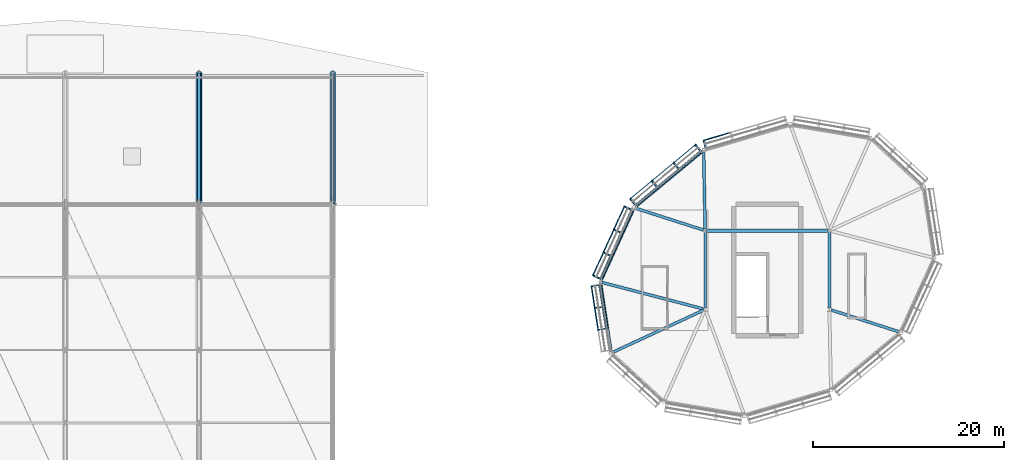
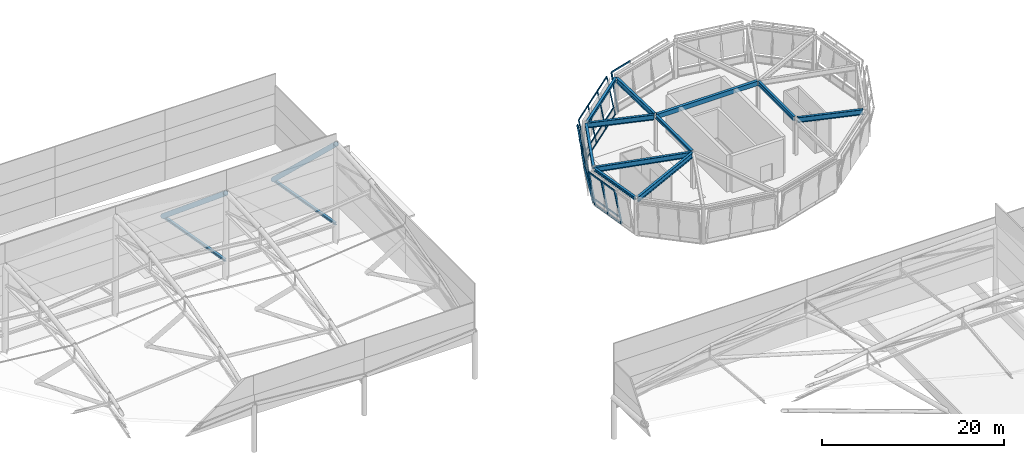
# One storey, part 64 of 113: 41 members, 11 beams, 4 elements without a shape of their own.
"""IFC4 building model written with IfcOpenShell, lengths in metres."""

from ifc_helpers import new_model, si_unit, direction, frame, origin, origin_2d, place, context, subcontext, project, spatial, rectangle, hollow_rectangle, hollow_circle, i_section, extrude, material, material_profile, profile_set, type_object, element, aggregate, save


model = new_model("IFC4")

# Units and contexts
model_context = context("Model", 3, precision=1e-05, world=origin(), true_north=direction((0.0, 1.0)))
body_context = subcontext(model_context, "Body", "Model", "MODEL_VIEW")
ifc_project = project(units=[si_unit("LENGTHUNIT", "METRE"), si_unit("AREAUNIT", "SQUARE_METRE"), si_unit("VOLUMEUNIT", "CUBIC_METRE"), si_unit("PLANEANGLEUNIT", "RADIAN"), si_unit("MASSUNIT", "GRAM", prefix="KILO")], contexts=[model_context])

# Site, building, storey
site_placement = place(None, origin())
site = spatial("IfcSite", under=ifc_project, at=site_placement, CompositionType="ELEMENT")
building_placement = place(site_placement, origin())
building = spatial("IfcBuilding", under=site, at=building_placement, Name="Linyun Crest Stadium", CompositionType="ELEMENT")
storey_placement = place(building_placement, frame((0.0, 0.0, 26.39990234375)))
storey = spatial("IfcBuildingStorey", under=building, at=storey_placement, Name="L06", CompositionType="ELEMENT", Elevation=26.39990234375)

# Beams
ifc_material_1 = material(Name="Concrete C40", Category="concrete")
ifc_material_profile_1 = material_profile(ifc_material_1, rectangle(XDim=0.35009765625, YDim=0.60009765625, at=origin_2d()), Name="RCB 600x350")
ifc_profile_set_1 = profile_set([ifc_material_profile_1], Name="Concrete C40")
beam_type_1 = type_object("IfcBeamType", Name="B01", PredefinedType="BEAM", material=ifc_profile_set_1)
beam_1_placement = place(storey_placement, frame((67.14990234375, 88.75, 4.64501953125), z_axis=(1.0, 0.0, 0.0), x_axis=(0.0, 1.0, 0.0)))
element("IfcBeam", 1, at=beam_1_placement, inside=storey, type_object=beam_type_1, Name="Frame beam B01 L06 984", PredefinedType="BEAM", context=body_context, shape_type="SweptSolid", body=[
    extrude(rectangle(XDim=0.35009765625, YDim=0.60009765625, at=origin_2d()), origin(), (0.0, 0.0, 1.0), 12.7001953125),
])
ifc_material_2 = material(Name="Steel Q355C", Category="steel")
ifc_material_profile_2 = material_profile(ifc_material_2, i_section(OverallWidth=0.300048828125, OverallDepth=0.389892578125, WebThickness=0.010009765625, FlangeThickness=0.01611328125, at=origin_2d()), Name="HM 390x300")
ifc_profile_set_2 = profile_set([ifc_material_profile_2], Name="Steel Q355C")
beam_type_2 = type_object("IfcBeamType", Name="B06", PredefinedType="BEAM", material=ifc_profile_set_2)
beam_2_placement = place(storey_placement, frame((66.741943359375, 97.0859375, 4.75), z_axis=(-0.770371409823, -0.637595397512, 0.0), x_axis=(0.637595397512, -0.770371409823, 0.0)))
element("IfcBeam", 2, at=beam_2_placement, inside=storey, type_object=beam_type_2, Name="Pod ring girder B06 L06 175", PredefinedType="BEAM", context=body_context, shape_type="SweptSolid", body=[
    extrude(i_section(OverallWidth=0.300048828125, OverallDepth=0.389892578125, WebThickness=0.010009765625, FlangeThickness=0.01611328125, at=origin_2d()), origin(), (0.0, 0.0, 1.0), 9.204833984375),
])
beam_3_placement = place(storey_placement, frame((59.509033203125, 91.031005859375, 4.75), z_axis=(-0.41441702614, -0.910087099373, 0.0), x_axis=(0.910087099373, -0.41441702614, 0.0)))
element("IfcBeam", 3, at=beam_3_placement, inside=storey, type_object=beam_type_2, Name="Pod ring girder B06 L06 177", PredefinedType="BEAM", context=body_context, shape_type="SweptSolid", body=[
    extrude(i_section(OverallWidth=0.300048828125, OverallDepth=0.389892578125, WebThickness=0.010009765625, FlangeThickness=0.01611328125, at=origin_2d()), origin(), (0.0, 0.0, 1.0), 8.2958984375),
])
beam_4_placement = place(storey_placement, frame((56.0390625, 83.2529296875, 4.75), z_axis=(0.152213453027, -0.988347643655, 0.0), x_axis=(0.988347643655, 0.152213453027, 0.0)))
element("IfcBeam", 4, at=beam_4_placement, inside=storey, type_object=beam_type_2, Name="Pod ring girder B06 L06 179", PredefinedType="BEAM", context=body_context, shape_type="SweptSolid", body=[
    extrude(i_section(OverallWidth=0.300048828125, OverallDepth=0.389892578125, WebThickness=0.010009765625, FlangeThickness=0.01611328125, at=origin_2d()), origin(), (0.0, 0.0, 1.0), 7.278564453125),
])
ifc_material_3 = material(Name="Steel Q355C", Category="steel")
ifc_material_profile_3 = material_profile(ifc_material_3, i_section(OverallWidth=0.300048828125, OverallDepth=0.43994140625, WebThickness=0.010986328125, FlangeThickness=0.01806640625, at=origin_2d()), Name="HM 440x300")
ifc_profile_set_3 = profile_set([ifc_material_profile_3], Name="Steel Q355C")
beam_type_3 = type_object("IfcBeamType", Name="B07", PredefinedType="BEAM", material=ifc_profile_set_3)
beam_5_placement = place(storey_placement, frame((67.0, 80.699951171875, 4.72509765625), z_axis=(0.0, 1.0, 0.0), x_axis=(-1.0, 0.0, 0.0)))
element("IfcBeam", 5, at=beam_5_placement, inside=storey, type_object=beam_type_3, Name="Frame beam B07 L06 987", PredefinedType="BEAM", context=body_context, shape_type="SweptSolid", body=[
    extrude(i_section(OverallWidth=0.300048828125, OverallDepth=0.43994140625, WebThickness=0.010986328125, FlangeThickness=0.01806640625, at=origin_2d()), origin(), (0.0, 0.0, 1.0), 7.900146484375),
])
ifc_material_4 = material(Name="Steel Q355C", Category="steel")
ifc_material_profile_4 = material_profile(ifc_material_4, i_section(OverallWidth=0.300048828125, OverallDepth=0.587890625, WebThickness=0.011962890625, FlangeThickness=0.02001953125, at=origin_2d()), Name="HM 588x300")
ifc_profile_set_4 = profile_set([ifc_material_profile_4], Name="Steel Q355C")
beam_type_4 = type_object("IfcBeamType", Name="B09", PredefinedType="BEAM", material=ifc_profile_set_4)
beam_6_placement = place(storey_placement, frame((80.0, 80.699951171875, 4.651123046875), z_axis=(0.0, 1.0, 0.0), x_axis=(-1.0, 0.0, 0.0)))
element("IfcBeam", 6, at=beam_6_placement, inside=storey, type_object=beam_type_4, Name="Frame beam B09 L06 988", PredefinedType="BEAM", context=body_context, shape_type="SweptSolid", body=[
    extrude(i_section(OverallWidth=0.300048828125, OverallDepth=0.587890625, WebThickness=0.011962890625, FlangeThickness=0.02001953125, at=origin_2d()), origin(), (0.0, 0.0, 1.0), 7.900146484375),
])
ifc_material_5 = material(Name="Steel Q355C", Category="steel")
ifc_material_profile_5 = material_profile(ifc_material_5, i_section(OverallWidth=0.300048828125, OverallDepth=0.699951171875, WebThickness=0.012939453125, FlangeThickness=0.02392578125, at=origin_2d()), Name="HN 700x300")
ifc_profile_set_5 = profile_set([ifc_material_profile_5], Name="Steel Q355C")
beam_type_5 = type_object("IfcBeamType", Name="B12", PredefinedType="BEAM", material=ifc_profile_set_5)
beam_7_placement = place(storey_placement, frame((66.99609375, 88.949951171875, 4.59521484375), z_axis=(-0.01978842746, 0.999804189899, 0.0), x_axis=(-0.999804189899, -0.01978842746, 0.0)))
element("IfcBeam", 7, at=beam_7_placement, inside=storey, type_object=beam_type_5, Name="Pod radial tie girder B12 L06 176", PredefinedType="BEAM", context=body_context, shape_type="SweptSolid", body=[
    extrude(i_section(OverallWidth=0.300048828125, OverallDepth=0.699951171875, WebThickness=0.012939453125, FlangeThickness=0.02392578125, at=origin_2d()), origin(), (0.0, 0.0, 1.0), 7.99462890625),
])
beam_8_placement = place(storey_placement, frame((66.81005859375, 88.81103515625, 4.59521484375), z_axis=(-0.952088987816, 0.305821123011, 0.0), x_axis=(-0.305821123011, -0.952088987816, 0.0)))
element("IfcBeam", 8, at=beam_8_placement, inside=storey, type_object=beam_type_5, Name="Pod radial tie girder B12 L06 178", PredefinedType="BEAM", context=body_context, shape_type="SweptSolid", body=[
    extrude(i_section(OverallWidth=0.300048828125, OverallDepth=0.699951171875, WebThickness=0.012939453125, FlangeThickness=0.02392578125, at=origin_2d()), origin(), (0.0, 0.0, 1.0), 7.396240234375),
])
beam_9_placement = place(storey_placement, frame((66.806884765625, 80.551025390625, 4.59521484375), z_axis=(-0.967466930693, 0.252997505948, 0.0), x_axis=(-0.252997505948, -0.967466930693, 0.0)))
element("IfcBeam", 9, at=beam_9_placement, inside=storey, type_object=beam_type_5, Name="Pod radial tie girder B12 L06 180", PredefinedType="BEAM", context=body_context, shape_type="SweptSolid", body=[
    extrude(i_section(OverallWidth=0.300048828125, OverallDepth=0.699951171875, WebThickness=0.012939453125, FlangeThickness=0.02392578125, at=origin_2d()), origin(), (0.0, 0.0, 1.0), 10.928466796875),
])
beam_10_placement = place(storey_placement, frame((66.819091796875, 80.416015625, 4.59521484375), z_axis=(-0.907241490816, -0.420610125106, 0.0), x_axis=(0.420610125106, -0.907241490816, 0.0)))
element("IfcBeam", 10, at=beam_10_placement, inside=storey, type_object=beam_type_5, Name="Pod radial tie girder B12 L06 182", PredefinedType="BEAM", context=body_context, shape_type="SweptSolid", body=[
    extrude(i_section(OverallWidth=0.300048828125, OverallDepth=0.699951171875, WebThickness=0.012939453125, FlangeThickness=0.02392578125, at=origin_2d()), origin(), (0.0, 0.0, 1.0), 10.420654296875),
])
beam_11_placement = place(storey_placement, frame((80.18994140625, 80.43896484375, 4.59521484375), z_axis=(0.952088987816, -0.305821123011, 0.0), x_axis=(0.305821123011, 0.952088987816, 0.0)))
element("IfcBeam", 11, at=beam_11_placement, inside=storey, type_object=beam_type_5, Name="Pod radial tie girder B12 L06 190", PredefinedType="BEAM", context=body_context, shape_type="SweptSolid", body=[
    extrude(i_section(OverallWidth=0.300048828125, OverallDepth=0.699951171875, WebThickness=0.012939453125, FlangeThickness=0.02392578125, at=origin_2d()), origin(), (0.0, 0.0, 1.0), 7.396240234375),
])

# Curtain wall, member
ifc_material_6 = material(Name="Verdigris steel and low-E curtain wall assembly", Category="steel")
curtain_wall_type = type_object("IfcCurtainWallType", Name="MCW04", PredefinedType="NOTDEFINED", material=ifc_material_6)
curtain_wall_1_placement = place(storey_placement, origin())
curtain_wall_1 = element("IfcCurtainWall", 12, at=curtain_wall_1_placement, inside=storey, type_object=curtain_wall_type, Name="CWR-063", PredefinedType="NOTDEFINED")
ifc_material_7 = material(Name="Verdigris painted steel Q355C pod mullion", Category="steel")
ifc_material_profile_6 = material_profile(ifc_material_7, hollow_rectangle(XDim=0.1201171875, YDim=0.219970703125, WallThickness=0.008056640625, at=origin_2d()), Name="RHS 220x120x8")
ifc_profile_set_6 = profile_set([ifc_material_profile_6], Name="Verdigris painted steel Q355C pod mullion")
member_type_1 = type_object("IfcMemberType", Name="ML04", PredefinedType="MULLION", material=ifc_profile_set_6)
member_1_placement = place(storey_placement, frame((67.1220703125, 97.248046875, 0.0), z_axis=(-0.056263528028, 0.191335374841, 0.979910807037), x_axis=(-0.535777028127, 0.822393680307, -0.1913416074)))
member_1 = element("IfcMember", 13, at=member_1_placement, type_object=member_type_1, Name="CWR-063 mullion 4", PredefinedType="MULLION", context=body_context, shape_type="SweptSolid", body=[
    extrude(hollow_rectangle(XDim=0.1201171875, YDim=0.219970703125, WallThickness=0.008056640625, at=origin_2d()), origin(), (0.0, 0.0, 1.0), 4.959716796875),
])

# Curtain wall, members
curtain_wall_2_placement = place(storey_placement, origin())
curtain_wall_2 = element("IfcCurtainWall", 14, at=curtain_wall_2_placement, inside=storey, type_object=curtain_wall_type, Name="CWR-064", PredefinedType="NOTDEFINED")
member_2_placement = place(storey_placement, frame((66.60302734375, 96.971923828125, 0.0), z_axis=(-0.12724398281, 0.153628034951, 0.979901727581), x_axis=(-0.972586832037, 0.174539399185, -0.153658232063)))
member_2 = element("IfcMember", 15, at=member_2_placement, type_object=member_type_1, Name="CWR-064 mullion 1", PredefinedType="MULLION", context=body_context, shape_type="SweptSolid", body=[
    extrude(hollow_rectangle(XDim=0.1201171875, YDim=0.219970703125, WallThickness=0.008056640625, at=origin_2d()), origin(), (0.0, 0.0, 1.0), 4.959716796875),
])
member_3_placement = place(storey_placement, frame((64.33203125, 95.092041015625, 0.0), z_axis=(-0.127247829487, 0.153435777374, 0.979931350714), x_axis=(-0.972711180682, 0.173944112656, -0.153546099423)))
member_3 = element("IfcMember", 16, at=member_3_placement, type_object=member_type_1, Name="CWR-064 mullion 2", PredefinedType="MULLION", context=body_context, shape_type="SweptSolid", body=[
    extrude(hollow_rectangle(XDim=0.1201171875, YDim=0.219970703125, WallThickness=0.008056640625, at=origin_2d()), origin(), (0.0, 0.0, 1.0), 4.959716796875),
])
member_4_placement = place(storey_placement, frame((62.06103515625, 93.2109375, 0.0), z_axis=(-0.12724398281, 0.153628034951, 0.979901727581), x_axis=(-0.972586832037, 0.174539399185, -0.153658232063)))
member_4 = element("IfcMember", 17, at=member_4_placement, type_object=member_type_1, Name="CWR-064 mullion 3", PredefinedType="MULLION", context=body_context, shape_type="SweptSolid", body=[
    extrude(hollow_rectangle(XDim=0.1201171875, YDim=0.219970703125, WallThickness=0.008056640625, at=origin_2d()), origin(), (0.0, 0.0, 1.0), 4.959716796875),
])
member_5_placement = place(storey_placement, frame((59.7900390625, 91.3310546875, 0.0), z_axis=(-0.12724398281, 0.153628034951, 0.979901727581), x_axis=(-0.972586832037, 0.174539399185, -0.153658232063)))
member_5 = element("IfcMember", 18, at=member_5_placement, type_object=member_type_1, Name="CWR-064 mullion 4", PredefinedType="MULLION", context=body_context, shape_type="SweptSolid", body=[
    extrude(hollow_rectangle(XDim=0.1201171875, YDim=0.219970703125, WallThickness=0.008056640625, at=origin_2d()), origin(), (0.0, 0.0, 1.0), 4.959716796875),
])

curtain_wall_3_placement = place(storey_placement, origin())
curtain_wall_3 = element("IfcCurtainWall", 19, at=curtain_wall_3_placement, inside=storey, type_object=curtain_wall_type, Name="CWR-065", PredefinedType="NOTDEFINED")
member_6_placement = place(storey_placement, frame((59.43505859375, 90.866943359375, 0.0), z_axis=(-0.181490234966, 0.082696933752, 0.979909440591), x_axis=(-0.746977779315, -0.659688473454, -0.082675965084)))
member_6 = element("IfcMember", 20, at=member_6_placement, type_object=member_type_1, Name="CWR-065 mullion 1", PredefinedType="MULLION", context=body_context, shape_type="SweptSolid", body=[
    extrude(hollow_rectangle(XDim=0.1201171875, YDim=0.219970703125, WallThickness=0.008056640625, at=origin_2d()), origin(), (0.0, 0.0, 1.0), 4.959716796875),
])
member_7_placement = place(storey_placement, frame((58.337890625, 88.4599609375, 0.0), z_axis=(-0.181252204132, 0.082700625459, 0.97995318513), x_axis=(-0.747332110531, -0.659298213004, -0.082586820371)))
member_7 = element("IfcMember", 21, at=member_7_placement, type_object=member_type_1, Name="CWR-065 mullion 2", PredefinedType="MULLION", context=body_context, shape_type="SweptSolid", body=[
    extrude(hollow_rectangle(XDim=0.1201171875, YDim=0.219970703125, WallThickness=0.008056640625, at=origin_2d()), origin(), (0.0, 0.0, 1.0), 4.95947265625),
])
member_8_placement = place(storey_placement, frame((57.241943359375, 86.052001953125, 0.0), z_axis=(-0.181443369746, 0.082648783995, 0.979922181645), x_axis=(-0.746901902917, -0.659777631544, -0.082650011091)))
member_8 = element("IfcMember", 22, at=member_8_placement, type_object=member_type_1, Name="CWR-065 mullion 3", PredefinedType="MULLION", context=body_context, shape_type="SweptSolid", body=[
    extrude(hollow_rectangle(XDim=0.1201171875, YDim=0.219970703125, WallThickness=0.008056640625, at=origin_2d()), origin(), (0.0, 0.0, 1.0), 4.959716796875),
])
member_9_placement = place(storey_placement, frame((56.14501953125, 83.64501953125, 0.0), z_axis=(-0.181443369746, 0.082648783995, 0.979922181645), x_axis=(-0.746901902917, -0.659777631544, -0.082650011091)))
member_9 = element("IfcMember", 23, at=member_9_placement, type_object=member_type_1, Name="CWR-065 mullion 4", PredefinedType="MULLION", context=body_context, shape_type="SweptSolid", body=[
    extrude(hollow_rectangle(XDim=0.1201171875, YDim=0.219970703125, WallThickness=0.008056640625, at=origin_2d()), origin(), (0.0, 0.0, 1.0), 4.959716796875),
])

curtain_wall_4_placement = place(storey_placement, origin())
curtain_wall_4 = element("IfcCurtainWall", 24, at=curtain_wall_4_placement, inside=storey, type_object=curtain_wall_type, Name="CWR-066", PredefinedType="NOTDEFINED")
member_10_placement = place(storey_placement, frame((56.06689453125, 83.074951171875, 0.0), z_axis=(-0.196954171611, -0.030224909115, 0.979946686894), x_axis=(0.297268346025, -0.954312688797, 0.030312084268)))
member_10 = element("IfcMember", 25, at=member_10_placement, type_object=member_type_1, Name="CWR-066 mullion 1", PredefinedType="MULLION", context=body_context, shape_type="SweptSolid", body=[
    extrude(hollow_rectangle(XDim=0.1201171875, YDim=0.219970703125, WallThickness=0.008056640625, at=origin_2d()), origin(), (0.0, 0.0, 1.0), 4.95947265625),
])
member_11_placement = place(storey_placement, frame((56.41796875, 80.7958984375, 0.0), z_axis=(-0.197189560657, -0.030420156886, 0.97989330604), x_axis=(0.298012512631, -0.954079293793, 0.030351992869)))
member_11 = element("IfcMember", 26, at=member_11_placement, type_object=member_type_1, Name="CWR-066 mullion 2", PredefinedType="MULLION", context=body_context, shape_type="SweptSolid", body=[
    extrude(hollow_rectangle(XDim=0.1201171875, YDim=0.219970703125, WallThickness=0.008056640625, at=origin_2d()), origin(), (0.0, 0.0, 1.0), 4.959716796875),
])
member_12_placement = place(storey_placement, frame((56.76806640625, 78.51611328125, 0.0), z_axis=(-0.197001194284, -0.030273796723, 0.979935725792), x_axis=(0.297463905344, -0.954251489613, 0.030320283472)))
member_12 = element("IfcMember", 27, at=member_12_placement, type_object=member_type_1, Name="CWR-066 mullion 3", PredefinedType="MULLION", context=body_context, shape_type="SweptSolid", body=[
    extrude(hollow_rectangle(XDim=0.1201171875, YDim=0.219970703125, WallThickness=0.008056640625, at=origin_2d()), origin(), (0.0, 0.0, 1.0), 4.959716796875),
])

# Members
ifc_material_8 = material(Name="Steel Q420C", Category="steel")
ifc_material_profile_7 = material_profile(ifc_material_8, hollow_circle(Radius=0.304931640625, WallThickness=0.030029296875, at=origin_2d()), Name="CHS 610x30")
ifc_profile_set_7 = profile_set([ifc_material_profile_7], Name="Steel Q420C")
member_type_2 = type_object("IfcMemberType", Name="TC02", PredefinedType="CHORD", material=ifc_profile_set_7)
member_13_placement = place(storey_placement, frame((14.0, 91.5, 11.2001953125), z_axis=(0.0, 0.769411404483, -0.638753544531), x_axis=(-1.0, 0.0, 0.0)))
element("IfcMember", 28, at=member_13_placement, inside=storey, type_object=member_type_2, Name="Roof truss back-stay chord TC02 V3 418", PredefinedType="CHORD", context=body_context, shape_type="SweptSolid", body=[
    extrude(hollow_circle(Radius=0.304931640625, WallThickness=0.030029296875, at=origin_2d()), origin(), (0.0, 0.0, 1.0), 17.870849609375),
])
member_14_placement = place(storey_placement, frame((28.0, 91.5, 12.900146484375), z_axis=(0.0, 0.723618597883, -0.690200061429), x_axis=(-1.0, 0.0, 0.0)))
element("IfcMember", 29, at=member_14_placement, inside=storey, type_object=member_type_2, Name="Roof truss back-stay chord TC02 V3 437", PredefinedType="CHORD", context=body_context, shape_type="SweptSolid", body=[
    extrude(hollow_circle(Radius=0.304931640625, WallThickness=0.030029296875, at=origin_2d()), origin(), (0.0, 0.0, 1.0), 19.001708984375),
])
ifc_material_9 = material(Name="Steel Q355C", Category="steel")
ifc_material_profile_8 = material_profile(ifc_material_9, i_section(OverallWidth=0.300048828125, OverallDepth=0.300048828125, WebThickness=0.010009765625, FlangeThickness=0.014892578125, at=origin_2d()), Name="HW 300x300")
ifc_profile_set_8 = profile_set([ifc_material_profile_8], Name="Steel Q355C")
member_type_3 = type_object("IfcMemberType", Name="TC03", PredefinedType="CHORD", material=ifc_profile_set_8)
for number, where, z_axis, x_axis, name in (
    (30, (14.0, 91.5, 2.18505859375), (0.0, 0.985107588667, -0.171939055337), (-1.0, 0.0, 0.0), "Roof truss lower back-span chord TC03 V3 419"),
    (31, (28.0, 91.5, 2.18505859375), (0.0, 0.985107588667, -0.171939055337), (-1.0, 0.0, 0.0), "Roof truss lower back-span chord TC03 V3 438"),
):
    element("IfcMember", number, at=place(storey_placement, frame(where, z_axis=z_axis, x_axis=x_axis)), inside=storey, type_object=member_type_3, Name=name, PredefinedType="CHORD", context=body_context, shape_type="SweptSolid", body=[
        extrude(i_section(OverallWidth=0.300048828125, OverallDepth=0.300048828125, WebThickness=0.010009765625, FlangeThickness=0.014892578125, at=origin_2d()), origin(), (0.0, 0.0, 1.0), 13.957763671875),
    ])

# Member
ifc_material_10 = material(Name="Verdigris painted steel Q355C transom", Category="steel")
ifc_material_profile_9 = material_profile(ifc_material_10, hollow_rectangle(XDim=0.10009765625, YDim=0.199951171875, WallThickness=0.008056640625, at=origin_2d()), Name="RHS 200x100x8")
ifc_profile_set_9 = profile_set([ifc_material_profile_9], Name="Verdigris painted steel Q355C transom")
member_type_4 = type_object("IfcMemberType", Name="TR03", PredefinedType="USERDEFINED", material=ifc_profile_set_9)
member_15_placement = place(storey_placement, frame((69.6708984375, 99.028076171875, 4.860107421875), z_axis=(-0.959427469513, -0.28195554746, 0.0), x_axis=(0.28195554746, -0.959427469513, 0.0)))
member_15 = element("IfcMember", 32, at=member_15_placement, type_object=member_type_4, Name="CWR-063 transom 3.3", ObjectType="TRANSOM", PredefinedType="USERDEFINED", context=body_context, shape_type="SweptSolid", body=[
    extrude(hollow_rectangle(XDim=0.10009765625, YDim=0.199951171875, WallThickness=0.008056640625, at=origin_2d()), origin(), (0.0, 0.0, 1.0), 2.947509765625),
])

aggregate(curtain_wall_1, [member_1, member_15])

member_16_placement = place(storey_placement, frame((66.60302734375, 96.971923828125, 0.0), z_axis=(-0.770321380351, -0.63765584054, 0.0), x_axis=(0.63765584054, -0.770321380351, 0.0)))
member_16 = element("IfcMember", 33, at=member_16_placement, type_object=member_type_4, Name="CWR-064 transom 1.1", ObjectType="TRANSOM", PredefinedType="USERDEFINED", context=body_context, shape_type="SweptSolid", body=[
    extrude(hollow_rectangle(XDim=0.10009765625, YDim=0.199951171875, WallThickness=0.008056640625, at=origin_2d()), origin(), (0.0, 0.0, 1.0), 2.947998046875),
])

member_17_placement = place(storey_placement, frame((66.486083984375, 97.113037109375, 0.900146484375), z_axis=(-0.770280703464, -0.637704977142, 0.0), x_axis=(0.637704977142, -0.770280703464, 0.0)))
member_17 = element("IfcMember", 34, at=member_17_placement, type_object=member_type_4, Name="CWR-064 transom 1.2", ObjectType="TRANSOM", PredefinedType="USERDEFINED", context=body_context, shape_type="SweptSolid", body=[
    extrude(hollow_rectangle(XDim=0.10009765625, YDim=0.199951171875, WallThickness=0.008056640625, at=origin_2d()), origin(), (0.0, 0.0, 1.0), 2.9482421875),
])

member_18_placement = place(storey_placement, frame((65.971923828125, 97.73388671875, 4.860107421875), z_axis=(-0.770158679778, -0.63785234025, 0.0), x_axis=(0.63785234025, -0.770158679778, 0.0)))
member_18 = element("IfcMember", 35, at=member_18_placement, type_object=member_type_4, Name="CWR-064 transom 1.3", ObjectType="TRANSOM", PredefinedType="USERDEFINED", context=body_context, shape_type="SweptSolid", body=[
    extrude(hollow_rectangle(XDim=0.10009765625, YDim=0.199951171875, WallThickness=0.008056640625, at=origin_2d()), origin(), (0.0, 0.0, 1.0), 2.94873046875),
])

member_19_placement = place(storey_placement, frame((64.33203125, 95.092041015625, 0.0), z_axis=(-0.770118007544, -0.637901445724, 0.0), x_axis=(0.637901445724, -0.770118007544, 0.0)))
member_19 = element("IfcMember", 36, at=member_19_placement, type_object=member_type_4, Name="CWR-064 transom 2.1", ObjectType="TRANSOM", PredefinedType="USERDEFINED", context=body_context, shape_type="SweptSolid", body=[
    extrude(hollow_rectangle(XDim=0.10009765625, YDim=0.199951171875, WallThickness=0.008056640625, at=origin_2d()), origin(), (0.0, 0.0, 1.0), 2.948974609375),
])

member_20_placement = place(storey_placement, frame((64.215087890625, 95.23291015625, 0.900146484375), z_axis=(-0.770158679778, -0.63785234025, 0.0), x_axis=(0.63785234025, -0.770158679778, 0.0)))
member_20 = element("IfcMember", 37, at=member_20_placement, type_object=member_type_4, Name="CWR-064 transom 2.2", ObjectType="TRANSOM", PredefinedType="USERDEFINED", context=body_context, shape_type="SweptSolid", body=[
    extrude(hollow_rectangle(XDim=0.10009765625, YDim=0.199951171875, WallThickness=0.008056640625, at=origin_2d()), origin(), (0.0, 0.0, 1.0), 2.94873046875),
])

member_21_placement = place(storey_placement, frame((63.700927734375, 95.85302734375, 4.860107421875), z_axis=(-0.770280703464, -0.637704977142, 0.0), x_axis=(0.637704977142, -0.770280703464, 0.0)))
member_21 = element("IfcMember", 38, at=member_21_placement, type_object=member_type_4, Name="CWR-064 transom 2.3", ObjectType="TRANSOM", PredefinedType="USERDEFINED", context=body_context, shape_type="SweptSolid", body=[
    extrude(hollow_rectangle(XDim=0.10009765625, YDim=0.199951171875, WallThickness=0.008056640625, at=origin_2d()), origin(), (0.0, 0.0, 1.0), 2.9482421875),
])

member_22_placement = place(storey_placement, frame((62.06103515625, 93.2109375, 0.0), z_axis=(-0.770321380351, -0.63765584054, 0.0), x_axis=(0.63765584054, -0.770321380351, 0.0)))
member_22 = element("IfcMember", 39, at=member_22_placement, type_object=member_type_4, Name="CWR-064 transom 3.1", ObjectType="TRANSOM", PredefinedType="USERDEFINED", context=body_context, shape_type="SweptSolid", body=[
    extrude(hollow_rectangle(XDim=0.10009765625, YDim=0.199951171875, WallThickness=0.008056640625, at=origin_2d()), origin(), (0.0, 0.0, 1.0), 2.947998046875),
])

member_23_placement = place(storey_placement, frame((61.944091796875, 93.35205078125, 0.900146484375), z_axis=(-0.770280703464, -0.637704977142, 0.0), x_axis=(0.637704977142, -0.770280703464, 0.0)))
member_23 = element("IfcMember", 40, at=member_23_placement, type_object=member_type_4, Name="CWR-064 transom 3.2", ObjectType="TRANSOM", PredefinedType="USERDEFINED", context=body_context, shape_type="SweptSolid", body=[
    extrude(hollow_rectangle(XDim=0.10009765625, YDim=0.199951171875, WallThickness=0.008056640625, at=origin_2d()), origin(), (0.0, 0.0, 1.0), 2.9482421875),
])

member_24_placement = place(storey_placement, frame((61.429931640625, 93.972900390625, 4.860107421875), z_axis=(-0.770321380351, -0.63765584054, 0.0), x_axis=(0.63765584054, -0.770321380351, 0.0)))
member_24 = element("IfcMember", 41, at=member_24_placement, type_object=member_type_4, Name="CWR-064 transom 3.3", ObjectType="TRANSOM", PredefinedType="USERDEFINED", context=body_context, shape_type="SweptSolid", body=[
    extrude(hollow_rectangle(XDim=0.10009765625, YDim=0.199951171875, WallThickness=0.008056640625, at=origin_2d()), origin(), (0.0, 0.0, 1.0), 2.947998046875),
])

aggregate(curtain_wall_2, [member_2, member_3, member_4, member_5, member_16, member_17, member_18, member_19, member_20, member_21, member_22, member_23, member_24])

member_25_placement = place(storey_placement, frame((59.43505859375, 90.866943359375, 0.0), z_axis=(-0.414769269545, -0.909926619591, 0.0), x_axis=(0.909926619591, -0.414769269545, 0.0)))
member_25 = element("IfcMember", 42, at=member_25_placement, type_object=member_type_4, Name="CWR-065 transom 1.1", ObjectType="TRANSOM", PredefinedType="USERDEFINED", context=body_context, shape_type="SweptSolid", body=[
    extrude(hollow_rectangle(XDim=0.10009765625, YDim=0.199951171875, WallThickness=0.008056640625, at=origin_2d()), origin(), (0.0, 0.0, 1.0), 2.645263671875),
])

member_26_placement = place(storey_placement, frame((59.26806640625, 90.943115234375, 0.900146484375), z_axis=(-0.414352266897, -0.910116585343, 0.0), x_axis=(0.910116585343, -0.414352266897, 0.0)))
member_26 = element("IfcMember", 43, at=member_26_placement, type_object=member_type_4, Name="CWR-065 transom 1.2", ObjectType="TRANSOM", PredefinedType="USERDEFINED", context=body_context, shape_type="SweptSolid", body=[
    extrude(hollow_rectangle(XDim=0.10009765625, YDim=0.199951171875, WallThickness=0.008056640625, at=origin_2d()), origin(), (0.0, 0.0, 1.0), 2.64501953125),
])

member_27_placement = place(storey_placement, frame((58.534912109375, 91.277099609375, 4.860107421875), z_axis=(-0.414387078143, -0.91010073589, 0.0), x_axis=(0.91010073589, -0.414387078143, 0.0)))
member_27 = element("IfcMember", 44, at=member_27_placement, type_object=member_type_4, Name="CWR-065 transom 1.3", ObjectType="TRANSOM", PredefinedType="USERDEFINED", context=body_context, shape_type="SweptSolid", body=[
    extrude(hollow_rectangle(XDim=0.10009765625, YDim=0.199951171875, WallThickness=0.008056640625, at=origin_2d()), origin(), (0.0, 0.0, 1.0), 2.644775390625),
])

member_28_placement = place(storey_placement, frame((58.337890625, 88.4599609375, 0.0), z_axis=(-0.414247864609, -0.910164109744, 0.0), x_axis=(0.910164109744, -0.414247864609, 0.0)))
member_28 = element("IfcMember", 45, at=member_28_placement, type_object=member_type_4, Name="CWR-065 transom 2.1", ObjectType="TRANSOM", PredefinedType="USERDEFINED", context=body_context, shape_type="SweptSolid", body=[
    extrude(hollow_rectangle(XDim=0.10009765625, YDim=0.199951171875, WallThickness=0.008056640625, at=origin_2d()), origin(), (0.0, 0.0, 1.0), 2.645751953125),
])

member_29_placement = place(storey_placement, frame((58.172119140625, 88.535888671875, 0.900146484375), z_axis=(-0.414629980899, -0.909990098265, 0.0), x_axis=(0.909990098265, -0.414629980899, 0.0)))
member_29 = element("IfcMember", 46, at=member_29_placement, type_object=member_type_4, Name="CWR-065 transom 2.2", ObjectType="TRANSOM", PredefinedType="USERDEFINED", context=body_context, shape_type="SweptSolid", body=[
    extrude(hollow_rectangle(XDim=0.10009765625, YDim=0.199951171875, WallThickness=0.008056640625, at=origin_2d()), origin(), (0.0, 0.0, 1.0), 2.646240234375),
])

member_30_placement = place(storey_placement, frame((57.43896484375, 88.8701171875, 4.860107421875), z_axis=(-0.414518769866, -0.91004076251, 0.0), x_axis=(0.91004076251, -0.414518769866, 0.0)))
member_30 = element("IfcMember", 47, at=member_30_placement, type_object=member_type_4, Name="CWR-065 transom 2.3", ObjectType="TRANSOM", PredefinedType="USERDEFINED", context=body_context, shape_type="SweptSolid", body=[
    extrude(hollow_rectangle(XDim=0.10009765625, YDim=0.199951171875, WallThickness=0.008056640625, at=origin_2d()), origin(), (0.0, 0.0, 1.0), 2.646240234375),
])

member_31_placement = place(storey_placement, frame((57.241943359375, 86.052001953125, 0.0), z_axis=(-0.414692848815, -0.90996145036, 0.0), x_axis=(0.90996145036, -0.414692848815, 0.0)))
member_31 = element("IfcMember", 48, at=member_31_placement, type_object=member_type_4, Name="CWR-065 transom 3.1", ObjectType="TRANSOM", PredefinedType="USERDEFINED", context=body_context, shape_type="SweptSolid", body=[
    extrude(hollow_rectangle(XDim=0.10009765625, YDim=0.199951171875, WallThickness=0.008056640625, at=origin_2d()), origin(), (0.0, 0.0, 1.0), 2.645263671875),
])

member_32_placement = place(storey_placement, frame((57.074951171875, 86.1279296875, 0.900146484375), z_axis=(-0.414692848815, -0.90996145036, 0.0), x_axis=(0.90996145036, -0.414692848815, 0.0)))
member_32 = element("IfcMember", 49, at=member_32_placement, type_object=member_type_4, Name="CWR-065 transom 3.2", ObjectType="TRANSOM", PredefinedType="USERDEFINED", context=body_context, shape_type="SweptSolid", body=[
    extrude(hollow_rectangle(XDim=0.10009765625, YDim=0.199951171875, WallThickness=0.008056640625, at=origin_2d()), origin(), (0.0, 0.0, 1.0), 2.645263671875),
])

member_33_placement = place(storey_placement, frame((56.342041015625, 86.4619140625, 4.860107421875), z_axis=(-0.414692848815, -0.90996145036, 0.0), x_axis=(0.90996145036, -0.414692848815, 0.0)))
member_33 = element("IfcMember", 50, at=member_33_placement, type_object=member_type_4, Name="CWR-065 transom 3.3", ObjectType="TRANSOM", PredefinedType="USERDEFINED", context=body_context, shape_type="SweptSolid", body=[
    extrude(hollow_rectangle(XDim=0.10009765625, YDim=0.199951171875, WallThickness=0.008056640625, at=origin_2d()), origin(), (0.0, 0.0, 1.0), 2.645263671875),
])

aggregate(curtain_wall_3, [member_6, member_7, member_8, member_9, member_25, member_26, member_27, member_28, member_29, member_30, member_31, member_32, member_33])

member_34_placement = place(storey_placement, frame((56.06689453125, 83.074951171875, 0.0), z_axis=(0.152248123454, -0.988342303509, 0.0), x_axis=(0.988342303509, 0.152248123454, 0.0)))
member_34 = element("IfcMember", 51, at=member_34_placement, type_object=member_type_4, Name="CWR-066 transom 1.1", ObjectType="TRANSOM", PredefinedType="USERDEFINED", context=body_context, shape_type="SweptSolid", body=[
    extrude(hollow_rectangle(XDim=0.10009765625, YDim=0.199951171875, WallThickness=0.008056640625, at=origin_2d()), origin(), (0.0, 0.0, 1.0), 2.305908203125),
])

member_35_placement = place(storey_placement, frame((55.885986328125, 83.047119140625, 0.900146484375), z_axis=(0.152248123454, -0.988342303509, 0.0), x_axis=(0.988342303509, 0.152248123454, 0.0)))
member_35 = element("IfcMember", 52, at=member_35_placement, type_object=member_type_4, Name="CWR-066 transom 1.2", ObjectType="TRANSOM", PredefinedType="USERDEFINED", context=body_context, shape_type="SweptSolid", body=[
    extrude(hollow_rectangle(XDim=0.10009765625, YDim=0.199951171875, WallThickness=0.008056640625, at=origin_2d()), origin(), (0.0, 0.0, 1.0), 2.305908203125),
])

member_36_placement = place(storey_placement, frame((55.090087890625, 82.925048828125, 4.860107421875), z_axis=(0.151667464216, -0.988431575931, 0.0), x_axis=(0.988431575931, 0.151667464216, 0.0)))
member_36 = element("IfcMember", 53, at=member_36_placement, type_object=member_type_4, Name="CWR-066 transom 1.3", ObjectType="TRANSOM", PredefinedType="USERDEFINED", context=body_context, shape_type="SweptSolid", body=[
    extrude(hollow_rectangle(XDim=0.10009765625, YDim=0.199951171875, WallThickness=0.008056640625, at=origin_2d()), origin(), (0.0, 0.0, 1.0), 2.306640625),
])

member_37_placement = place(storey_placement, frame((56.41796875, 80.7958984375, 0.0), z_axis=(0.15178674483, -0.988413265843, 0.0), x_axis=(0.988413265843, 0.15178674483, 0.0)))
member_37 = element("IfcMember", 54, at=member_37_placement, type_object=member_type_4, Name="CWR-066 transom 2.1", ObjectType="TRANSOM", PredefinedType="USERDEFINED", context=body_context, shape_type="SweptSolid", body=[
    extrude(hollow_rectangle(XDim=0.10009765625, YDim=0.199951171875, WallThickness=0.008056640625, at=origin_2d()), origin(), (0.0, 0.0, 1.0), 2.306396484375),
])

member_38_placement = place(storey_placement, frame((56.237060546875, 80.76806640625, 0.900146484375), z_axis=(0.151667464216, -0.988431575931, 0.0), x_axis=(0.988431575931, 0.151667464216, 0.0)))
member_38 = element("IfcMember", 55, at=member_38_placement, type_object=member_type_4, Name="CWR-066 transom 2.2", ObjectType="TRANSOM", PredefinedType="USERDEFINED", context=body_context, shape_type="SweptSolid", body=[
    extrude(hollow_rectangle(XDim=0.10009765625, YDim=0.199951171875, WallThickness=0.008056640625, at=origin_2d()), origin(), (0.0, 0.0, 1.0), 2.306640625),
])

member_39_placement = place(storey_placement, frame((55.43994140625, 80.64501953125, 4.860107421875), z_axis=(0.152248123454, -0.988342303509, 0.0), x_axis=(0.988342303509, 0.152248123454, 0.0)))
member_39 = element("IfcMember", 56, at=member_39_placement, type_object=member_type_4, Name="CWR-066 transom 2.3", ObjectType="TRANSOM", PredefinedType="USERDEFINED", context=body_context, shape_type="SweptSolid", body=[
    extrude(hollow_rectangle(XDim=0.10009765625, YDim=0.199951171875, WallThickness=0.008056640625, at=origin_2d()), origin(), (0.0, 0.0, 1.0), 2.305908203125),
])

aggregate(curtain_wall_4, [member_10, member_11, member_12, member_34, member_35, member_36, member_37, member_38, member_39])

save(model, "model.ifc")
